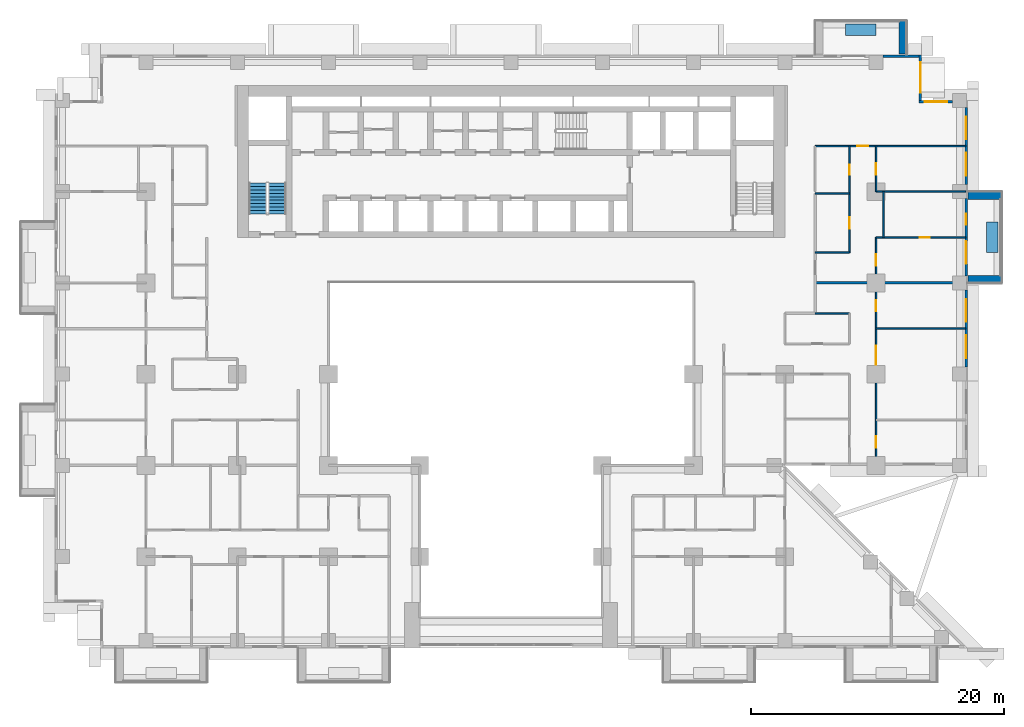
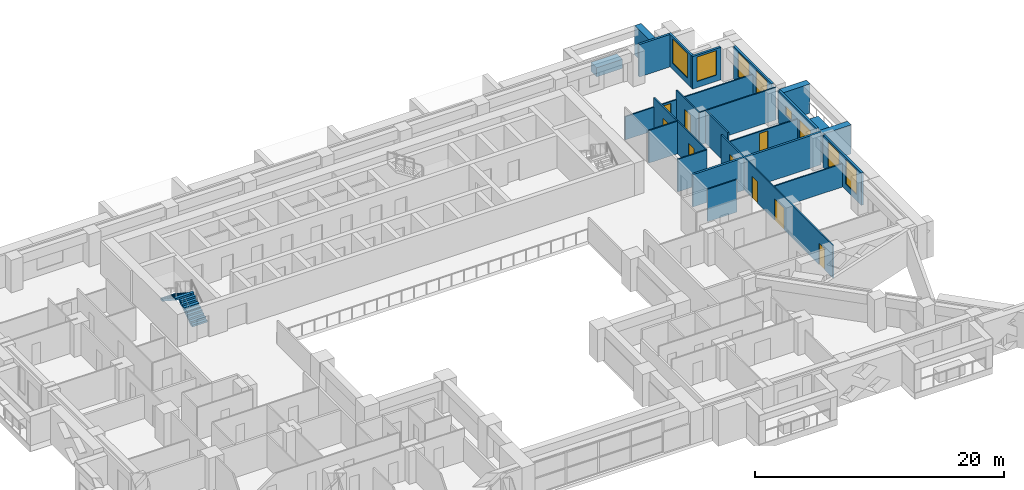
# One storey, part 12 of 17: 23 walls, 10 doors, 7 windows, 2 stair flights, 17 openings, 1 element without a shape of its own.
"""IFC4 building model written with IfcOpenShell, lengths in metres."""

from ifc_helpers import new_model, si_unit, direction, frame, frame_2d, origin, place, context, subcontext, project, spatial, polyline, rectangle, outline, extrude, material, layer, layer_set, type_object, element, fill, aggregate, save


model = new_model("IFC4")

# Units and contexts
model_context = context("Model", 3, precision=1e-05, world=origin(), true_north=direction((0.0, 1.0)))
body_context = subcontext(model_context, "Body", "Model", "MODEL_VIEW")
ifc_project = project(units=[si_unit("LENGTHUNIT", "METRE"), si_unit("AREAUNIT", "SQUARE_METRE"), si_unit("VOLUMEUNIT", "CUBIC_METRE"), si_unit("PLANEANGLEUNIT", "RADIAN"), si_unit("MASSUNIT", "GRAM", prefix="KILO")], contexts=[model_context])

# Site, building, storey
site_placement = place(None, origin())
site = spatial("IfcSite", under=ifc_project, at=site_placement, CompositionType="ELEMENT")
building_placement = place(site_placement, origin())
building = spatial("IfcBuilding", under=site, at=building_placement, Name="Saffron Iwan Residences", CompositionType="ELEMENT")
storey_placement = place(building_placement, frame((0.0, 0.0, 41.0)))
storey = spatial("IfcBuildingStorey", under=building, at=storey_placement, Name="L09", CompositionType="ELEMENT", Elevation=41.0)

# Walls
ifc_material_1 = material(Name="Concrete C50/60 white painted", Category="concrete")
ifc_layer_1 = layer(ifc_material_1, 0.60009765625)
ifc_layer_set_1 = layer_set([ifc_layer_1], Name="Concrete C50/60 white painted")
wall_type_1 = type_object("IfcWallType", Name="BALCONY FIN 600", PredefinedType="SOLIDWALL", material=ifc_layer_set_1)
for number, where, z_axis, x_axis, name in (
    (1, (86.449951171875, 62.699951171875, 0.0), (0.0, 0.0, 1.0), (1.0, 0.0, 0.0), "Balcony fin L09 F2-0a"),
    (2, (86.449951171875, 69.300048828125, 0.0), (0.0, 0.0, 1.0), (1.0, 0.0, 0.0), "Balcony fin L09 F2-0b"),
    (3, (81.300048828125, 80.449951171875, 0.0), (0.0, 0.0, 1.0), (0.0, 1.0, 0.0), "Balcony fin L09 F5-0a"),
):
    element("IfcWall", number, at=place(storey_placement, frame(where, z_axis=z_axis, x_axis=x_axis)), inside=storey, type_object=wall_type_1, Name=name, PredefinedType="SOLIDWALL", context=body_context, shape_type="SweptSolid", body=[
        extrude(rectangle(XDim=2.650146484375, YDim=0.60009765625, at=frame_2d((1.3251953125, 0.0))), origin(), (0.0, 0.0, 1.0), 2.85009765625),
    ])
ifc_material_2 = material(Name="Concrete C35/45 white painted", Category="concrete")
ifc_layer_2 = layer(ifc_material_2, 0.14990234375)
ifc_layer_set_2 = layer_set([ifc_layer_2], Name="Concrete C35/45 white painted")
wall_type_2 = type_object("IfcWallType", Name="BALCONY PLANTER", PredefinedType="SOLIDWALL", material=ifc_layer_set_2)
for number, where, z_axis, x_axis, name in (
    (4, (88.375, 64.800048828125, 0.0), (0.0, 0.0, 1.0), (0.0, 1.0, 0.0), "PLANTER L09 F2-0"),
    (5, (79.199951171875, 82.375, 0.0), (0.0, 0.0, 1.0), (-1.0, 0.0, 0.0), "PLANTER L09 F5-0"),
):
    element("IfcWall", number, at=place(storey_placement, frame(where, z_axis=z_axis, x_axis=x_axis)), inside=storey, type_object=wall_type_2, Name=name, PredefinedType="SOLIDWALL", context=body_context, shape_type="SweptSolid", body=[
        extrude(rectangle(XDim=2.39990234375, YDim=0.89990234375, at=frame_2d((1.199951171875, 0.0))), origin(), (0.0, 0.0, 1.0), 0.89990234375),
    ])

# Wall, openings, windows
ifc_material_3 = material(Name="Concrete C40/50", Category="concrete")
ifc_layer_3 = layer(ifc_material_3, 0.199951171875)
ifc_layer_set_3 = layer_set([ifc_layer_3], Name="Concrete C40/50")
wall_type_3 = type_object("IfcWallType", Name="EXTERNAL WALL 200", PredefinedType="SOLIDWALL", material=ifc_layer_set_3)
wall_1_placement = place(storey_placement, frame((86.300048828125, 55.75, 0.0), z_axis=(0.0, 0.0, 1.0), x_axis=(0.0, 1.0, 0.0)))
wall_1 = element("IfcWall", 6, at=wall_1_placement, inside=storey, type_object=wall_type_3, Name="External wall L09 F2.1", PredefinedType="SOLIDWALL", context=body_context, shape_type="SweptSolid", body=[
    extrude(rectangle(XDim=6.10009765625, YDim=0.199951171875, at=frame_2d((3.050048828125, 0.0))), origin(), (0.0, 0.0, 1.0), 3.179931640625),
])
opening_1_placement = place(wall_1_placement, frame((0.72509765625, 0.0, 0.60009765625)))
opening_1 = element("IfcOpeningElement", 7, at=opening_1_placement, cuts=wall_1, Name="Opening W8", PredefinedType="OPENING", context=body_context, shape_type="SweptSolid", body=[
    extrude(rectangle(XDim=1.800048828125, YDim=2.39990234375, at=frame_2d((0.89990234375, 1.199951171875))), frame((0.0, 0.10986328125, 0.0), z_axis=(0.0, -1.0, 0.0), x_axis=(1.0, 0.0, 0.0)), (0.0, 0.0, 1.0), 0.219970703125),
])
opening_2_placement = place(wall_1_placement, frame((3.574951171875, 0.0, 0.60009765625)))
opening_2 = element("IfcOpeningElement", 8, at=opening_2_placement, cuts=wall_1, Name="Opening W8", PredefinedType="OPENING", context=body_context, shape_type="SweptSolid", body=[
    extrude(rectangle(XDim=1.800048828125, YDim=2.39990234375, at=frame_2d((0.89990234375, 1.199951171875))), frame((0.0, 0.10986328125, 0.0), z_axis=(0.0, -1.0, 0.0), x_axis=(1.0, 0.0, 0.0)), (0.0, 0.0, 1.0), 0.219970703125),
])
ifc_material_4 = material(Name="Clear glass, laminated double glazed", Category="glass")
window_type_1 = type_object("IfcWindowType", Name="WINDOW 1800 x 2400", PartitioningType="DOUBLE_PANEL_VERTICAL", PredefinedType="WINDOW", material=ifc_material_4)
window_1_placement = place(opening_1_placement, origin())
window_1 = element("IfcWindow", 9, at=window_1_placement, inside=storey, type_object=window_type_1, Name="Window L09 F2.0", OverallHeight=2.39990234375, OverallWidth=1.800048828125, PartitioningType="DOUBLE_PANEL_VERTICAL", PredefinedType="WINDOW", context=body_context, shape_type="SweptSolid", body=[
    extrude(rectangle(XDim=1.800048828125, YDim=2.39990234375, at=frame_2d((0.89990234375, 1.199951171875))), frame((0.0, 0.030029296875, 0.0), z_axis=(0.0, -1.0, 0.0), x_axis=(1.0, 0.0, 0.0)), (0.0, 0.0, 1.0), 0.06005859375),
])
fill(opening_1, window_1)
window_2_placement = place(opening_2_placement, origin())
window_2 = element("IfcWindow", 10, at=window_2_placement, inside=storey, type_object=window_type_1, Name="Window L09 F2.1", OverallHeight=2.39990234375, OverallWidth=1.800048828125, PartitioningType="DOUBLE_PANEL_VERTICAL", PredefinedType="WINDOW", context=body_context, shape_type="SweptSolid", body=[
    extrude(rectangle(XDim=1.800048828125, YDim=2.39990234375, at=frame_2d((0.89990234375, 1.199951171875))), frame((0.0, 0.030029296875, 0.0), z_axis=(0.0, -1.0, 0.0), x_axis=(1.0, 0.0, 0.0)), (0.0, 0.0, 1.0), 0.06005859375),
])
fill(opening_2, window_2)

# Wall, openings, door, window
wall_2_placement = place(storey_placement, frame((86.300048828125, 62.949951171875, 0.0), z_axis=(0.0, 0.0, 1.0), x_axis=(0.0, 1.0, 0.0)))
wall_2 = element("IfcWall", 11, at=wall_2_placement, inside=storey, type_object=wall_type_3, Name="External wall L09 F2.2", PredefinedType="SOLIDWALL", context=body_context, shape_type="SweptSolid", body=[
    extrude(rectangle(XDim=6.10009765625, YDim=0.199951171875, at=frame_2d((3.050048828125, 0.0))), origin(), (0.0, 0.0, 1.0), 3.179931640625),
])
opening_3_placement = place(wall_2_placement, frame((0.949951171875, 0.0, 0.0)))
opening_3 = element("IfcOpeningElement", 12, at=opening_3_placement, cuts=wall_2, Name="Opening BD1", PredefinedType="OPENING", context=body_context, shape_type="SweptSolid", body=[
    extrude(rectangle(XDim=1.800048828125, YDim=2.39990234375, at=frame_2d((0.89990234375, 1.199951171875))), frame((0.0, 0.10986328125, 0.0), z_axis=(0.0, -1.0, 0.0), x_axis=(1.0, 0.0, 0.0)), (0.0, 0.0, 1.0), 0.219970703125),
])
opening_4_placement = place(wall_2_placement, frame((4.02490234375, 0.0, 1.5)))
opening_4 = element("IfcOpeningElement", 13, at=opening_4_placement, cuts=wall_2, Name="Opening W6", PredefinedType="OPENING", context=body_context, shape_type="SweptSolid", body=[
    extrude(rectangle(XDim=0.89990234375, YDim=0.89990234375, at=frame_2d((0.449951171875, 0.449951171875))), frame((0.0, 0.10986328125, 0.0), z_axis=(0.0, -1.0, 0.0), x_axis=(1.0, 0.0, 0.0)), (0.0, 0.0, 1.0), 0.219970703125),
])
door_type_1 = type_object("IfcDoorType", Name="BALCONY DOOR 1800 x 2400", OperationType="DOUBLE_DOOR_SLIDING", PredefinedType="DOOR", material=ifc_material_4)
door_1_placement = place(opening_3_placement, origin())
door_1 = element("IfcDoor", 14, at=door_1_placement, inside=storey, type_object=door_type_1, Name="Balcony door L09 F2.0", OperationType="DOUBLE_DOOR_SLIDING", OverallHeight=2.39990234375, OverallWidth=1.800048828125, PredefinedType="DOOR", context=body_context, shape_type="SweptSolid", body=[
    extrude(rectangle(XDim=1.800048828125, YDim=2.39990234375, at=frame_2d((0.89990234375, 1.199951171875))), frame((0.0, 0.02490234375, 0.0), z_axis=(0.0, -1.0, 0.0), x_axis=(1.0, 0.0, 0.0)), (0.0, 0.0, 1.0), 0.050048828125),
])
fill(opening_3, door_1)
window_type_2 = type_object("IfcWindowType", Name="WINDOW 900 x 900 BATH", PartitioningType="SINGLE_PANEL", PredefinedType="WINDOW", material=ifc_material_4)
window_3_placement = place(opening_4_placement, origin())
window_3 = element("IfcWindow", 15, at=window_3_placement, inside=storey, type_object=window_type_2, Name="Window L09 F2.1", OverallHeight=0.89990234375, OverallWidth=0.89990234375, PartitioningType="SINGLE_PANEL", PredefinedType="WINDOW", context=body_context, shape_type="SweptSolid", body=[
    extrude(rectangle(XDim=0.89990234375, YDim=0.89990234375, at=frame_2d((0.449951171875, 0.449951171875))), frame((0.0, 0.030029296875, 0.0), z_axis=(0.0, -1.0, 0.0), x_axis=(1.0, 0.0, 0.0)), (0.0, 0.0, 1.0), 0.06005859375),
])
fill(opening_4, window_3)

# Wall, openings, windows
wall_3_placement = place(storey_placement, frame((86.300048828125, 70.14990234375, 0.0), z_axis=(0.0, 0.0, 1.0), x_axis=(0.0, 1.0, 0.0)))
wall_3 = element("IfcWall", 16, at=wall_3_placement, inside=storey, type_object=wall_type_3, Name="External wall L09 F2.3", PredefinedType="SOLIDWALL", context=body_context, shape_type="SweptSolid", body=[
    extrude(rectangle(XDim=6.10009765625, YDim=0.199951171875, at=frame_2d((3.050048828125, 0.0))), origin(), (0.0, 0.0, 1.0), 3.179931640625),
])
opening_5_placement = place(wall_3_placement, frame((0.72509765625, 0.0, 0.60009765625)))
opening_5 = element("IfcOpeningElement", 17, at=opening_5_placement, cuts=wall_3, Name="Opening W8", PredefinedType="OPENING", context=body_context, shape_type="SweptSolid", body=[
    extrude(rectangle(XDim=1.800048828125, YDim=2.39990234375, at=frame_2d((0.89990234375, 1.199951171875))), frame((0.0, 0.10986328125, 0.0), z_axis=(0.0, -1.0, 0.0), x_axis=(1.0, 0.0, 0.0)), (0.0, 0.0, 1.0), 0.219970703125),
])
opening_6_placement = place(wall_3_placement, frame((3.574951171875, 0.0, 0.60009765625)))
opening_6 = element("IfcOpeningElement", 18, at=opening_6_placement, cuts=wall_3, Name="Opening W8", PredefinedType="OPENING", context=body_context, shape_type="SweptSolid", body=[
    extrude(rectangle(XDim=1.800048828125, YDim=2.39990234375, at=frame_2d((0.89990234375, 1.199951171875))), frame((0.0, 0.10986328125, 0.0), z_axis=(0.0, -1.0, 0.0), x_axis=(1.0, 0.0, 0.0)), (0.0, 0.0, 1.0), 0.219970703125),
])
window_4_placement = place(opening_5_placement, origin())
window_4 = element("IfcWindow", 19, at=window_4_placement, inside=storey, type_object=window_type_1, Name="Window L09 F2.0", OverallHeight=2.39990234375, OverallWidth=1.800048828125, PartitioningType="DOUBLE_PANEL_VERTICAL", PredefinedType="WINDOW", context=body_context, shape_type="SweptSolid", body=[
    extrude(rectangle(XDim=1.800048828125, YDim=2.39990234375, at=frame_2d((0.89990234375, 1.199951171875))), frame((0.0, 0.030029296875, 0.0), z_axis=(0.0, -1.0, 0.0), x_axis=(1.0, 0.0, 0.0)), (0.0, 0.0, 1.0), 0.06005859375),
])
fill(opening_5, window_4)
window_5_placement = place(opening_6_placement, origin())
window_5 = element("IfcWindow", 20, at=window_5_placement, inside=storey, type_object=window_type_1, Name="Window L09 F2.1", OverallHeight=2.39990234375, OverallWidth=1.800048828125, PartitioningType="DOUBLE_PANEL_VERTICAL", PredefinedType="WINDOW", context=body_context, shape_type="SweptSolid", body=[
    extrude(rectangle(XDim=1.800048828125, YDim=2.39990234375, at=frame_2d((0.89990234375, 1.199951171875))), frame((0.0, 0.030029296875, 0.0), z_axis=(0.0, -1.0, 0.0), x_axis=(1.0, 0.0, 0.0)), (0.0, 0.0, 1.0), 0.06005859375),
])
fill(opening_6, window_5)

# Wall, opening, window
wall_4_placement = place(storey_placement, frame((85.25, 76.699951171875, 0.0), z_axis=(0.0, 0.0, 1.0), x_axis=(-1.0, 0.0, 0.0)))
wall_4 = element("IfcWall", 21, at=wall_4_placement, inside=storey, type_object=wall_type_3, Name="External wall L09 F3.0", PredefinedType="SOLIDWALL", context=body_context, shape_type="SweptSolid", body=[
    extrude(rectangle(XDim=2.64990234375, YDim=0.199951171875, at=frame_2d((1.324951171875, 0.0))), origin(), (0.0, 0.0, 1.0), 3.179931640625),
])
opening_7_placement = place(wall_4_placement, frame((0.425048828125, 0.0, 0.60009765625)))
opening_7 = element("IfcOpeningElement", 22, at=opening_7_placement, cuts=wall_4, Name="Opening W8", PredefinedType="OPENING", context=body_context, shape_type="SweptSolid", body=[
    extrude(rectangle(XDim=1.800048828125, YDim=2.39990234375, at=frame_2d((0.89990234375, 1.199951171875))), frame((0.0, 0.10986328125, 0.0), z_axis=(0.0, -1.0, 0.0), x_axis=(1.0, 0.0, 0.0)), (0.0, 0.0, 1.0), 0.219970703125),
])
window_6_placement = place(opening_7_placement, origin())
window_6 = element("IfcWindow", 23, at=window_6_placement, inside=storey, type_object=window_type_1, Name="Window L09 F3.0", OverallHeight=2.39990234375, OverallWidth=1.800048828125, PartitioningType="DOUBLE_PANEL_VERTICAL", PredefinedType="WINDOW", context=body_context, shape_type="SweptSolid", body=[
    extrude(rectangle(XDim=1.800048828125, YDim=2.39990234375, at=frame_2d((0.89990234375, 1.199951171875))), frame((0.0, 0.030029296875, 0.0), z_axis=(0.0, -1.0, 0.0), x_axis=(1.0, 0.0, 0.0)), (0.0, 0.0, 1.0), 0.06005859375),
])
fill(opening_7, window_6)

wall_5_placement = place(storey_placement, frame((82.699951171875, 76.800048828125, 0.0), z_axis=(0.0, 0.0, 1.0), x_axis=(0.0, 1.0, 0.0)))
wall_5 = element("IfcWall", 24, at=wall_5_placement, inside=storey, type_object=wall_type_3, Name="External wall L09 F4.0", PredefinedType="SOLIDWALL", context=body_context, shape_type="SweptSolid", body=[
    extrude(rectangle(XDim=3.599853515625, YDim=0.199951171875, at=frame_2d((1.7998046875, 0.0))), origin(), (0.0, 0.0, 1.0), 3.179931640625),
])
opening_8_placement = place(wall_5_placement, frame((0.60009765625, 0.0, 0.60009765625)))
opening_8 = element("IfcOpeningElement", 25, at=opening_8_placement, cuts=wall_5, Name="Opening W1", PredefinedType="OPENING", context=body_context, shape_type="SweptSolid", body=[
    extrude(rectangle(XDim=2.39990234375, YDim=2.39990234375, at=frame_2d((1.199951171875, 1.199951171875))), frame((0.0, 0.10986328125, 0.0), z_axis=(0.0, -1.0, 0.0), x_axis=(1.0, 0.0, 0.0)), (0.0, 0.0, 1.0), 0.219970703125),
])
window_type_3 = type_object("IfcWindowType", Name="WINDOW 2400 x 2400", PartitioningType="DOUBLE_PANEL_VERTICAL", PredefinedType="WINDOW", material=ifc_material_4)
window_7_placement = place(opening_8_placement, origin())
window_7 = element("IfcWindow", 26, at=window_7_placement, inside=storey, type_object=window_type_3, Name="Window L09 F4.0", OverallHeight=2.39990234375, OverallWidth=2.39990234375, PartitioningType="DOUBLE_PANEL_VERTICAL", PredefinedType="WINDOW", context=body_context, shape_type="SweptSolid", body=[
    extrude(rectangle(XDim=2.39990234375, YDim=2.39990234375, at=frame_2d((1.199951171875, 1.199951171875))), frame((0.0, 0.030029296875, 0.0), z_axis=(0.0, -1.0, 0.0), x_axis=(1.0, 0.0, 0.0)), (0.0, 0.0, 1.0), 0.06005859375),
])
fill(opening_8, window_7)

# Walls
wall_6_placement = place(storey_placement, frame((82.60009765625, 80.300048828125, 0.0), z_axis=(0.0, 0.0, 1.0), x_axis=(-1.0, 0.0, 0.0)))
element("IfcWall", 27, at=wall_6_placement, inside=storey, type_object=wall_type_3, Name="External wall L09 F5.0", PredefinedType="SOLIDWALL", context=body_context, shape_type="SweptSolid", body=[
    extrude(rectangle(XDim=2.85009765625, YDim=0.199951171875, at=frame_2d((1.425048828125, 0.0))), origin(), (0.0, 0.0, 1.0), 3.179931640625),
])
ifc_material_5 = material(Name="Fire-rated gypsum board wall")
ifc_layer_4 = layer(ifc_material_5, 0.199951171875)
ifc_layer_set_4 = layer_set([ifc_layer_4], Name="Fire-rated gypsum board wall")
wall_type_4 = type_object("IfcWallType", Name="Flat demising wall 200", PredefinedType="SOLIDWALL", material=ifc_layer_set_4)
wall_7_placement = place(storey_placement, frame((74.39990234375, 62.39990234375, 0.0), z_axis=(0.0, 0.0, 1.0), x_axis=(1.0, 0.0, 0.0)))
element("IfcWall", 28, at=wall_7_placement, inside=storey, type_object=wall_type_4, Name="W-L09-DEMISE-h62.4-74.4", PredefinedType="SOLIDWALL", context=body_context, shape_type="SweptSolid", body=[
    extrude(rectangle(XDim=11.875, YDim=0.199951171875, at=frame_2d((5.9375, 0.0))), origin(), (0.0, 0.0, 1.0), 3.179931640625),
])
ifc_material_6 = material(Name="Gypsum board partition")
ifc_layer_5 = layer(ifc_material_6, 0.1201171875)
ifc_layer_set_5 = layer_set([ifc_layer_5], Name="Gypsum board partition")
wall_type_5 = type_object("IfcWallType", Name="Flat partition 120", PredefinedType="PARTITIONING", material=ifc_layer_set_5)
wall_8_placement = place(storey_placement, frame((79.199951171875, 58.800048828125, 0.0), z_axis=(0.0, 0.0, 1.0), x_axis=(1.0, 0.0, 0.0)))
element("IfcWall", 29, at=wall_8_placement, inside=storey, type_object=wall_type_5, Name="W-L09-PART-h58.8-79.2", PredefinedType="PARTITIONING", context=body_context, shape_type="SweptSolid", body=[
    extrude(rectangle(XDim=7.074951171875, YDim=0.1201171875, at=frame_2d((3.53759765625, 0.0))), origin(), (0.0, 0.0, 1.0), 2.280029296875),
])
for number, where, z_axis, x_axis, name in (
    (30, (74.39990234375, 60.0, 0.0), (0.0, 0.0, 1.0), (1.0, 0.0, 0.0), "W-L09-PART-h60-74.4"),
    (31, (74.39990234375, 64.800048828125, 0.0), (0.0, 0.0, 1.0), (1.0, 0.0, 0.0), "W-L09-PART-h64.8-74.4"),
):
    element("IfcWall", number, at=place(storey_placement, frame(where, z_axis=z_axis, x_axis=x_axis)), inside=storey, type_object=wall_type_5, Name=name, PredefinedType="PARTITIONING", context=body_context, shape_type="SweptSolid", body=[
        extrude(rectangle(XDim=2.7001953125, YDim=0.1201171875, at=frame_2d((1.35009765625, 0.0))), origin(), (0.0, 0.0, 1.0), 3.179931640625),
    ])

# Wall, opening, door
wall_9_placement = place(storey_placement, frame((79.199951171875, 66.0, 0.0), z_axis=(0.0, 0.0, 1.0), x_axis=(1.0, 0.0, 0.0)))
wall_9 = element("IfcWall", 32, at=wall_9_placement, inside=storey, type_object=wall_type_5, Name="W-L09-PART-h66-79.2", PredefinedType="PARTITIONING", context=body_context, shape_type="SweptSolid", body=[
    extrude(rectangle(XDim=7.074951171875, YDim=0.1201171875, at=frame_2d((3.53759765625, 0.0))), origin(), (0.0, 0.0, 1.0), 2.280029296875),
])
opening_9_placement = place(wall_9_placement, frame((3.4375, 0.0, 0.0)))
opening_9 = element("IfcOpeningElement", 33, at=opening_9_placement, cuts=wall_9, Name="Opening FD3", PredefinedType="OPENING", context=body_context, shape_type="SweptSolid", body=[
    extrude(rectangle(XDim=0.800048828125, YDim=2.10009765625, at=frame_2d((0.39990234375, 1.050048828125))), frame((0.0, 0.070068359375, 0.0), z_axis=(0.0, -1.0, 0.0), x_axis=(1.0, 0.0, 0.0)), (0.0, 0.0, 1.0), 0.14013671875),
])
ifc_material_7 = material(Name="Timber door", Category="wood")
door_type_2 = type_object("IfcDoorType", Name="Bathroom door 800", OperationType="NOTDEFINED", PredefinedType="DOOR", material=ifc_material_7)
door_2_placement = place(opening_9_placement, origin())
door_2 = element("IfcDoor", 34, at=door_2_placement, inside=storey, type_object=door_type_2, Name="Door L09-037", OperationType="SINGLE_SWING_RIGHT", OverallHeight=2.10009765625, OverallWidth=0.800048828125, PredefinedType="DOOR", context=body_context, shape_type="SweptSolid", body=[
    extrude(rectangle(XDim=0.800048828125, YDim=2.10009765625, at=frame_2d((0.39990234375, 1.050048828125))), frame((0.0, 0.02490234375, 0.0), z_axis=(0.0, -1.0, 0.0), x_axis=(1.0, 0.0, 0.0)), (0.0, 0.0, 1.0), 0.050048828125),
])
fill(opening_9, door_2)

# Walls
wall_10_placement = place(storey_placement, frame((74.39990234375, 69.449951171875, 0.0), z_axis=(0.0, 0.0, 1.0), x_axis=(1.0, 0.0, 0.0)))
element("IfcWall", 35, at=wall_10_placement, inside=storey, type_object=wall_type_5, Name="W-L09-PART-h69.45-74.4", PredefinedType="PARTITIONING", context=body_context, shape_type="SweptSolid", body=[
    extrude(rectangle(XDim=2.7001953125, YDim=0.1201171875, at=frame_2d((1.35009765625, 0.0))), origin(), (0.0, 0.0, 1.0), 3.179931640625),
])
wall_11_placement = place(storey_placement, frame((79.199951171875, 69.60009765625, 0.0), z_axis=(0.0, 0.0, 1.0), x_axis=(1.0, 0.0, 0.0)))
element("IfcWall", 36, at=wall_11_placement, inside=storey, type_object=wall_type_5, Name="W-L09-PART-h69.6-79.2", PredefinedType="PARTITIONING", context=body_context, shape_type="SweptSolid", body=[
    extrude(rectangle(XDim=7.074951171875, YDim=0.1201171875, at=frame_2d((3.53759765625, 0.0))), origin(), (0.0, 0.0, 1.0), 3.179931640625),
])

# Wall, opening, door
wall_12_placement = place(storey_placement, frame((74.39990234375, 73.199951171875, 0.0), z_axis=(0.0, 0.0, 1.0), x_axis=(1.0, 0.0, 0.0)))
wall_12 = element("IfcWall", 37, at=wall_12_placement, inside=storey, type_object=wall_type_5, Name="W-L09-PART-h73.2-74.4", PredefinedType="PARTITIONING", context=body_context, shape_type="SweptSolid", body=[
    extrude(rectangle(XDim=11.875, YDim=0.1201171875, at=frame_2d((5.9375, 0.0))), origin(), (0.0, 0.0, 1.0), 2.280029296875),
])
opening_10_placement = place(wall_12_placement, frame((3.300048828125, 0.0, 0.0)))
opening_10 = element("IfcOpeningElement", 38, at=opening_10_placement, cuts=wall_12, Name="Opening FD2", PredefinedType="OPENING", context=body_context, shape_type="SweptSolid", body=[
    extrude(rectangle(XDim=0.89990234375, YDim=2.10009765625, at=frame_2d((0.449951171875, 1.050048828125))), frame((0.0, 0.070068359375, 0.0), z_axis=(0.0, -1.0, 0.0), x_axis=(1.0, 0.0, 0.0)), (0.0, 0.0, 1.0), 0.14013671875),
])
door_type_3 = type_object("IfcDoorType", Name="Flat door 900", OperationType="NOTDEFINED", PredefinedType="DOOR", material=ifc_material_7)
door_3_placement = place(opening_10_placement, origin())
door_3 = element("IfcDoor", 39, at=door_3_placement, inside=storey, type_object=door_type_3, Name="Door L09-039", OperationType="SINGLE_SWING_LEFT", OverallHeight=2.10009765625, OverallWidth=0.89990234375, PredefinedType="DOOR", context=body_context, shape_type="SweptSolid", body=[
    extrude(rectangle(XDim=0.89990234375, YDim=2.10009765625, at=frame_2d((0.449951171875, 1.050048828125))), frame((0.0, 0.02490234375, 0.0), z_axis=(0.0, -1.0, 0.0), x_axis=(1.0, 0.0, 0.0)), (0.0, 0.0, 1.0), 0.050048828125),
])
fill(opening_10, door_3)

# Wall, openings, doors
wall_13_placement = place(storey_placement, frame((77.10009765625, 64.800048828125, 0.0), z_axis=(0.0, 0.0, 1.0), x_axis=(0.0, 1.0, 0.0)))
wall_13 = element("IfcWall", 40, at=wall_13_placement, inside=storey, type_object=wall_type_5, Name="W-L09-PART-v77.1-64.8", PredefinedType="PARTITIONING", context=body_context, shape_type="SweptSolid", body=[
    extrude(rectangle(XDim=8.39990234375, YDim=0.1201171875, at=frame_2d((4.199951171875, 0.0))), origin(), (0.0, 0.0, 1.0), 3.179931640625),
])
opening_11_placement = place(wall_13_placement, frame((1.875, 0.0, 0.0)))
opening_11 = element("IfcOpeningElement", 41, at=opening_11_placement, cuts=wall_13, Name="Opening FD2", PredefinedType="OPENING", context=body_context, shape_type="SweptSolid", body=[
    extrude(rectangle(XDim=0.89990234375, YDim=2.10009765625, at=frame_2d((0.449951171875, 1.050048828125))), frame((0.0, 0.070068359375, 0.0), z_axis=(0.0, -1.0, 0.0), x_axis=(1.0, 0.0, 0.0)), (0.0, 0.0, 1.0), 0.14013671875),
])
opening_12_placement = place(wall_13_placement, frame((6.125, 0.0, 0.0)))
opening_12 = element("IfcOpeningElement", 42, at=opening_12_placement, cuts=wall_13, Name="Opening FD3", PredefinedType="OPENING", context=body_context, shape_type="SweptSolid", body=[
    extrude(rectangle(XDim=0.800048828125, YDim=2.10009765625, at=frame_2d((0.39990234375, 1.050048828125))), frame((0.0, 0.070068359375, 0.0), z_axis=(0.0, -1.0, 0.0), x_axis=(1.0, 0.0, 0.0)), (0.0, 0.0, 1.0), 0.14013671875),
])
door_4_placement = place(opening_12_placement, origin())
door_4 = element("IfcDoor", 43, at=door_4_placement, inside=storey, type_object=door_type_2, Name="Door L09-041", OperationType="SINGLE_SWING_LEFT", OverallHeight=2.10009765625, OverallWidth=0.800048828125, PredefinedType="DOOR", context=body_context, shape_type="SweptSolid", body=[
    extrude(rectangle(XDim=0.800048828125, YDim=2.10009765625, at=frame_2d((0.39990234375, 1.050048828125))), frame((0.0, 0.02490234375, 0.0), z_axis=(0.0, -1.0, 0.0), x_axis=(1.0, 0.0, 0.0)), (0.0, 0.0, 1.0), 0.050048828125),
])
fill(opening_12, door_4)
door_5_placement = place(opening_11_placement, origin())
door_5 = element("IfcDoor", 44, at=door_5_placement, inside=storey, type_object=door_type_3, Name="Door L09-040", OperationType="SINGLE_SWING_RIGHT", OverallHeight=2.10009765625, OverallWidth=0.89990234375, PredefinedType="DOOR", context=body_context, shape_type="SweptSolid", body=[
    extrude(rectangle(XDim=0.89990234375, YDim=2.10009765625, at=frame_2d((0.449951171875, 1.050048828125))), frame((0.0, 0.02490234375, 0.0), z_axis=(0.0, -1.0, 0.0), x_axis=(1.0, 0.0, 0.0)), (0.0, 0.0, 1.0), 0.050048828125),
])
fill(opening_11, door_5)

wall_14_placement = place(storey_placement, frame((79.199951171875, 48.125, 0.0), z_axis=(0.0, 0.0, 1.0), x_axis=(0.0, 1.0, 0.0)))
wall_14 = element("IfcWall", 45, at=wall_14_placement, inside=storey, type_object=wall_type_5, Name="W-L09-PART-v79.2-48.125", PredefinedType="PARTITIONING", context=body_context, shape_type="SweptSolid", body=[
    extrude(rectangle(XDim=17.875, YDim=0.1201171875, at=frame_2d((8.9375, 0.0))), origin(), (0.0, 0.0, 1.0), 3.179931640625),
])
opening_13_placement = place(wall_14_placement, frame((1.28759765625, 0.0, 0.0)))
opening_13 = element("IfcOpeningElement", 46, at=opening_13_placement, cuts=wall_14, Name="Opening FD2", PredefinedType="OPENING", context=body_context, shape_type="SweptSolid", body=[
    extrude(rectangle(XDim=0.89990234375, YDim=2.10009765625, at=frame_2d((0.449951171875, 1.050048828125))), frame((0.0, 0.070068359375, 0.0), z_axis=(0.0, -1.0, 0.0), x_axis=(1.0, 0.0, 0.0)), (0.0, 0.0, 1.0), 0.14013671875),
])
opening_14_placement = place(wall_14_placement, frame((7.824951171875, 0.0, 0.0)))
opening_14 = element("IfcOpeningElement", 47, at=opening_14_placement, cuts=wall_14, Name="Opening FD4", PredefinedType="OPENING", context=body_context, shape_type="SweptSolid", body=[
    extrude(rectangle(XDim=1.5, YDim=2.10009765625, at=frame_2d((0.75, 1.050048828125))), frame((0.0, 0.070068359375, 0.0), z_axis=(0.0, -1.0, 0.0), x_axis=(1.0, 0.0, 0.0)), (0.0, 0.0, 1.0), 0.14013671875),
])
opening_15_placement = place(wall_14_placement, frame((12.02490234375, 0.0, 0.0)))
opening_15 = element("IfcOpeningElement", 48, at=opening_15_placement, cuts=wall_14, Name="Opening FD2", PredefinedType="OPENING", context=body_context, shape_type="SweptSolid", body=[
    extrude(rectangle(XDim=0.89990234375, YDim=2.10009765625, at=frame_2d((0.449951171875, 1.050048828125))), frame((0.0, 0.070068359375, 0.0), z_axis=(0.0, -1.0, 0.0), x_axis=(1.0, 0.0, 0.0)), (0.0, 0.0, 1.0), 0.14013671875),
])
opening_16_placement = place(wall_14_placement, frame((15.625, 0.0, 0.0)))
opening_16 = element("IfcOpeningElement", 49, at=opening_16_placement, cuts=wall_14, Name="Opening FD2", PredefinedType="OPENING", context=body_context, shape_type="SweptSolid", body=[
    extrude(rectangle(XDim=0.89990234375, YDim=2.10009765625, at=frame_2d((0.449951171875, 1.050048828125))), frame((0.0, 0.070068359375, 0.0), z_axis=(0.0, -1.0, 0.0), x_axis=(1.0, 0.0, 0.0)), (0.0, 0.0, 1.0), 0.14013671875),
])
door_type_4 = type_object("IfcDoorType", Name="Double door 1500", OperationType="NOTDEFINED", PredefinedType="DOOR", material=ifc_material_7)
door_6_placement = place(opening_14_placement, origin())
door_6 = element("IfcDoor", 50, at=door_6_placement, inside=storey, type_object=door_type_4, Name="Door L09-021", OperationType="SINGLE_SWING_RIGHT", OverallHeight=2.10009765625, OverallWidth=1.5, PredefinedType="DOOR", context=body_context, shape_type="SweptSolid", body=[
    extrude(rectangle(XDim=1.5, YDim=2.10009765625, at=frame_2d((0.75, 1.050048828125))), frame((0.0, 0.02490234375, 0.0), z_axis=(0.0, -1.0, 0.0), x_axis=(1.0, 0.0, 0.0)), (0.0, 0.0, 1.0), 0.050048828125),
])
fill(opening_14, door_6)
door_7_placement = place(opening_13_placement, origin())
door_7 = element("IfcDoor", 51, at=door_7_placement, inside=storey, type_object=door_type_3, Name="Door L09-020", OperationType="SINGLE_SWING_LEFT", OverallHeight=2.10009765625, OverallWidth=0.89990234375, PredefinedType="DOOR", context=body_context, shape_type="SweptSolid", body=[
    extrude(rectangle(XDim=0.89990234375, YDim=2.10009765625, at=frame_2d((0.449951171875, 1.050048828125))), frame((0.0, 0.02490234375, 0.0), z_axis=(0.0, -1.0, 0.0), x_axis=(1.0, 0.0, 0.0)), (0.0, 0.0, 1.0), 0.050048828125),
])
fill(opening_13, door_7)
door_8_placement = place(opening_15_placement, origin())
door_8 = element("IfcDoor", 52, at=door_8_placement, inside=storey, type_object=door_type_3, Name="Door L09-022", OperationType="SINGLE_SWING_RIGHT", OverallHeight=2.10009765625, OverallWidth=0.89990234375, PredefinedType="DOOR", context=body_context, shape_type="SweptSolid", body=[
    extrude(rectangle(XDim=0.89990234375, YDim=2.10009765625, at=frame_2d((0.449951171875, 1.050048828125))), frame((0.0, 0.02490234375, 0.0), z_axis=(0.0, -1.0, 0.0), x_axis=(1.0, 0.0, 0.0)), (0.0, 0.0, 1.0), 0.050048828125),
])
fill(opening_15, door_8)
door_9_placement = place(opening_16_placement, origin())
door_9 = element("IfcDoor", 53, at=door_9_placement, inside=storey, type_object=door_type_3, Name="Door L09-036", OperationType="SINGLE_SWING_LEFT", OverallHeight=2.10009765625, OverallWidth=0.89990234375, PredefinedType="DOOR", context=body_context, shape_type="SweptSolid", body=[
    extrude(rectangle(XDim=0.89990234375, YDim=2.10009765625, at=frame_2d((0.449951171875, 1.050048828125))), frame((0.0, 0.02490234375, 0.0), z_axis=(0.0, -1.0, 0.0), x_axis=(1.0, 0.0, 0.0)), (0.0, 0.0, 1.0), 0.050048828125),
])
fill(opening_16, door_9)

# Wall, opening, door
wall_15_placement = place(storey_placement, frame((79.199951171875, 69.60009765625, 0.0), z_axis=(0.0, 0.0, 1.0), x_axis=(0.0, 1.0, 0.0)))
wall_15 = element("IfcWall", 54, at=wall_15_placement, inside=storey, type_object=wall_type_5, Name="W-L09-PART-v79.2-69.6", PredefinedType="PARTITIONING", context=body_context, shape_type="SweptSolid", body=[
    extrude(rectangle(XDim=3.599853515625, YDim=0.1201171875, at=frame_2d((1.7998046875, 0.0))), origin(), (0.0, 0.0, 1.0), 3.179931640625),
])
opening_17_placement = place(wall_15_placement, frame((1.35009765625, 0.0, 0.0)))
opening_17 = element("IfcOpeningElement", 55, at=opening_17_placement, cuts=wall_15, Name="Opening FD2", PredefinedType="OPENING", context=body_context, shape_type="SweptSolid", body=[
    extrude(rectangle(XDim=0.89990234375, YDim=2.10009765625, at=frame_2d((0.449951171875, 1.050048828125))), frame((0.0, 0.070068359375, 0.0), z_axis=(0.0, -1.0, 0.0), x_axis=(1.0, 0.0, 0.0)), (0.0, 0.0, 1.0), 0.14013671875),
])
door_10_placement = place(opening_17_placement, origin())
door_10 = element("IfcDoor", 56, at=door_10_placement, inside=storey, type_object=door_type_3, Name="Door L09-038", OperationType="SINGLE_SWING_LEFT", OverallHeight=2.10009765625, OverallWidth=0.89990234375, PredefinedType="DOOR", context=body_context, shape_type="SweptSolid", body=[
    extrude(rectangle(XDim=0.89990234375, YDim=2.10009765625, at=frame_2d((0.449951171875, 1.050048828125))), frame((0.0, 0.02490234375, 0.0), z_axis=(0.0, -1.0, 0.0), x_axis=(1.0, 0.0, 0.0)), (0.0, 0.0, 1.0), 0.050048828125),
])
fill(opening_17, door_10)

# Wall
wall_16_placement = place(storey_placement, frame((79.800048828125, 66.0, 0.0), z_axis=(0.0, 0.0, 1.0), x_axis=(0.0, 1.0, 0.0)))
element("IfcWall", 57, at=wall_16_placement, inside=storey, type_object=wall_type_5, Name="W-L09-PART-v79.8-66", PredefinedType="PARTITIONING", context=body_context, shape_type="SweptSolid", body=[
    extrude(rectangle(XDim=3.60009765625, YDim=0.1201171875, at=frame_2d((1.800048828125, 0.0))), origin(), (0.0, 0.0, 1.0), 3.179931640625),
])

# Stair, stair flights
ifc_material_8 = material(Name="Concrete C50/60", Category="concrete")
stair_type = type_object("IfcStairType", Name="Stair ST-CORE", PredefinedType="HALF_TURN_STAIR", material=ifc_material_8)
stair_placement = place(storey_placement, origin())
stair = element("IfcStair", 58, at=stair_placement, inside=storey, type_object=stair_type, Name="L09 Exit Stair ST-W", PredefinedType="HALF_TURN_STAIR")
ifc_layer_6 = layer(ifc_material_8, 0.14990234375)
ifc_layer_set_6 = layer_set([ifc_layer_6], Name="Concrete C50/60")
stair_flight_type = type_object("IfcStairFlightType", Name="Stair flight SFL-RC", PredefinedType="STRAIGHT", material=ifc_layer_set_6)
stair_flight_1_placement = place(storey_placement, frame((31.949951171875, 67.85009765625, 0.0), z_axis=(0.0, 0.0, 1.0), x_axis=(0.0, 1.0, 0.0)))
stair_flight_1 = element("IfcStairFlight", 59, at=stair_flight_1_placement, type_object=stair_flight_type, Name="ST-W flight 1", NumberOfRisers=10, NumberOfTreads=9, PredefinedType="STRAIGHT", RiserHeight=0.175, TreadLength=0.27, context=body_context, shape_type="SweptSolid", body=[
    extrude(outline(polyline([(0.0, 0.0), (0.0, 0.175048828125), (0.27001953125, 0.175048828125), (0.27001953125, 0.35009765625), (0.5400390625, 0.35009765625), (0.5400390625, 0.52490234375), (0.81005859375, 0.52490234375), (0.81005859375, 0.699951171875), (1.080078125, 0.699951171875), (1.080078125, 0.875), (1.35009765625, 0.875), (1.35009765625, 1.050048828125), (1.6201171875, 1.050048828125), (1.6201171875, 1.22509765625), (1.889892578125, 1.22509765625), (1.889892578125, 1.39990234375), (2.159912109375, 1.39990234375), (2.159912109375, 1.574951171875), (2.429931640625, 1.574951171875), (2.429931640625, 1.75), (2.429931640625, 1.396484375), (0.275634765625, 0.0), (0.0, 0.0)])), frame((0.0, 0.699951171875, 0.0), z_axis=(0.0, -1.0, 0.0), x_axis=(1.0, 0.0, 0.0)), (0.0, 0.0, 1.0), 1.39990234375),
])
stair_flight_2_placement = place(storey_placement, frame((30.39990234375, 70.280029296875, 1.75), z_axis=(0.0, 0.0, 1.0), x_axis=(0.0, -1.0, 0.0)))
stair_flight_2 = element("IfcStairFlight", 60, at=stair_flight_2_placement, type_object=stair_flight_type, Name="ST-W flight 2", NumberOfRisers=10, NumberOfTreads=9, PredefinedType="STRAIGHT", RiserHeight=0.175, TreadLength=0.27, context=body_context, shape_type="SweptSolid", body=[
    extrude(outline(polyline([(0.0, 0.0), (0.0, 0.175048828125), (0.27001953125, 0.175048828125), (0.27001953125, 0.35009765625), (0.5400390625, 0.35009765625), (0.5400390625, 0.52490234375), (0.81005859375, 0.52490234375), (0.81005859375, 0.699951171875), (1.080078125, 0.699951171875), (1.080078125, 0.875), (1.35009765625, 0.875), (1.35009765625, 1.050048828125), (1.6201171875, 1.050048828125), (1.6201171875, 1.22509765625), (1.889892578125, 1.22509765625), (1.889892578125, 1.39990234375), (2.159912109375, 1.39990234375), (2.159912109375, 1.574951171875), (2.429931640625, 1.574951171875), (2.429931640625, 1.75), (2.429931640625, 1.396484375), (0.275634765625, 0.0), (0.0, 0.0)])), frame((0.0, 0.699951171875, 0.0), z_axis=(0.0, -1.0, 0.0), x_axis=(1.0, 0.0, 0.0)), (0.0, 0.0, 1.0), 1.39990234375),
])
aggregate(stair, [stair_flight_1, stair_flight_2])

save(model, "model.ifc")
